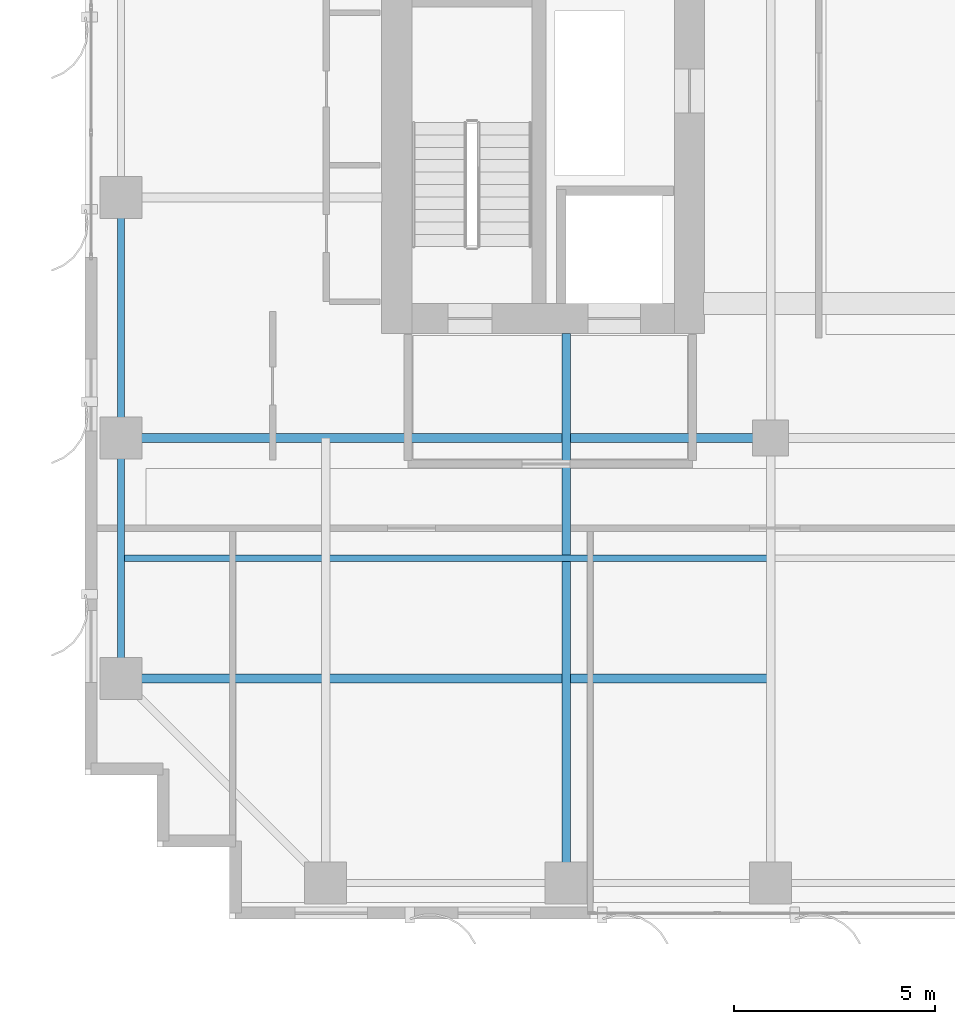
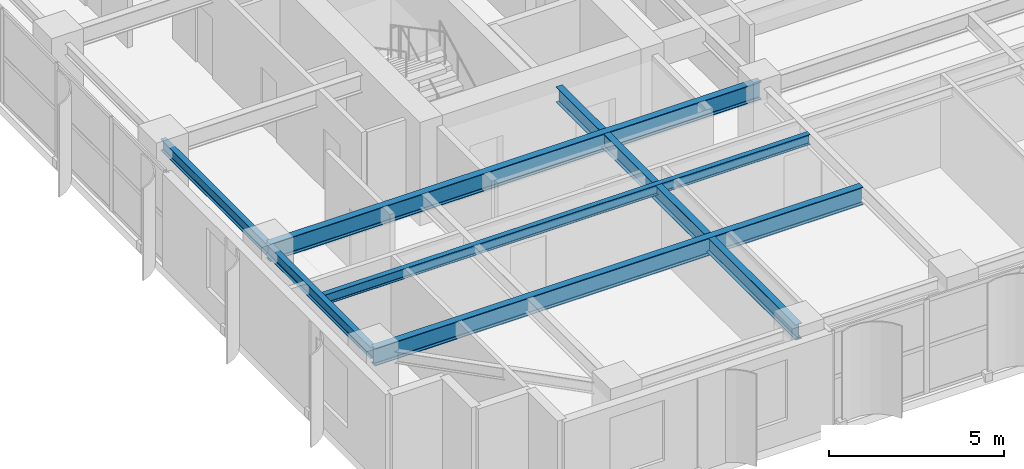
# One storey, part 3 of 28: 6 beams.
"""IFC4 building model written with IfcOpenShell, lengths in metres."""

from ifc_helpers import new_model, si_unit, direction, frame, origin, origin_2d, place, context, subcontext, project, spatial, i_section, extrude, source, transform, mapped, material, material_profile, profile_set, type_object, element, save


model = new_model("IFC4")

# Units and contexts
model_context = context("Model", 3, precision=1e-05, world=origin(), true_north=direction((0.0, 1.0)))
body_context = subcontext(model_context, "Body", "Model", "MODEL_VIEW")
ifc_project = project(units=[si_unit("LENGTHUNIT", "METRE"), si_unit("AREAUNIT", "SQUARE_METRE"), si_unit("VOLUMEUNIT", "CUBIC_METRE"), si_unit("PLANEANGLEUNIT", "RADIAN"), si_unit("MASSUNIT", "GRAM", prefix="KILO")], contexts=[model_context])

# Site, building, storey
site_placement = place(None, origin())
site = spatial("IfcSite", under=ifc_project, at=site_placement, CompositionType="ELEMENT")
building_placement = place(site_placement, origin())
building = spatial("IfcBuilding", under=site, at=building_placement, Name="Khoralis Quay Care Tower", CompositionType="ELEMENT")
storey_placement = place(building_placement, frame((0.0, 0.0, 144.89990234375)))
storey = spatial("IfcBuildingStorey", under=building, at=storey_placement, Name="L38", CompositionType="ELEMENT", Elevation=144.89990234375)

# Beams
ifc_material = material(Name="Steel S355", Category="steel")
ifc_material_profile_1 = material_profile(ifc_material, i_section(OverallWidth=0.179931640625, OverallDepth=0.39990234375, WebThickness=0.008544921875, FlangeThickness=0.013427734375, FilletRadius=0.02099609375, at=origin_2d()), Name="Steel S355")
ifc_profile_set_1 = profile_set([ifc_material_profile_1], Name="Steel S355")
beam_type_1 = type_object("IfcBeamType", Name="BM-IPE400", PredefinedType="SPANDREL", material=ifc_profile_set_1)
shared_shape_1 = source(origin(), body_context, "Body", "SweptSolid", [
    extrude(i_section(OverallWidth=0.179931640625, OverallDepth=0.39990234375, WebThickness=0.008544921875, FlangeThickness=0.013427734375, FilletRadius=0.02099609375, at=origin_2d()), origin(), (0.0, 0.0, 1.0), 6.0),
])
for number, where, z_axis, x_axis, name in (
    (1, (0.89990234375, 6.0, 3.080078125), (0.0, 1.0, 0.0), (-1.0, 0.0, 0.0), "BM-TSP-L38-11"),
    (2, (0.89990234375, 12.0, 3.080078125), (0.0, 1.0, 0.0), (-1.0, 0.0, 0.0), "BM-TSP-L38-12"),
):
    element("IfcBeam", number, at=place(storey_placement, frame(where, z_axis=z_axis, x_axis=x_axis)), inside=storey, type_object=beam_type_1, Name=name, PredefinedType="SPANDREL", context=body_context, shape_type="MappedRepresentation", body=[
        mapped(shared_shape_1, transform((0.0, 0.0, 0.0), scale=1.0)),
    ])
ifc_material_profile_2 = material_profile(ifc_material, i_section(OverallWidth=0.22998046875, OverallDepth=0.616943359375, WebThickness=0.01318359375, FlangeThickness=0.022216796875, FilletRadius=0.01806640625, at=origin_2d()), Name="Steel S355")
ifc_profile_set_2 = profile_set([ifc_material_profile_2], Name="Steel S355")
beam_type_2 = type_object("IfcBeamType", Name="BM-W610X140", PredefinedType="BEAM", material=ifc_profile_set_2)
shared_shape_2 = source(origin(), body_context, "Body", "SweptSolid", [
    extrude(i_section(OverallWidth=0.22998046875, OverallDepth=0.616943359375, WebThickness=0.01318359375, FlangeThickness=0.022216796875, FilletRadius=0.01806640625, at=origin_2d()), origin(), (0.0, 0.0, 1.0), 16.106201171875),
])
beam_1_placement = place(storey_placement, frame((0.89990234375, 6.0, 2.9716796875), z_axis=(1.0, 0.0, 0.0), x_axis=(0.0, 1.0, 0.0)))
element("IfcBeam", 3, at=beam_1_placement, inside=storey, type_object=beam_type_2, Name="BM-TGXW-L38-60", PredefinedType="BEAM", context=body_context, shape_type="MappedRepresentation", body=[
    mapped(shared_shape_2, transform((0.0, 0.0, 0.0), scale=1.0)),
])
shared_shape_3 = source(origin(), body_context, "Body", "SweptSolid", [
    extrude(i_section(OverallWidth=0.22998046875, OverallDepth=0.616943359375, WebThickness=0.01318359375, FlangeThickness=0.022216796875, FilletRadius=0.01806640625, at=origin_2d()), origin(), (0.0, 0.0, 1.0), 16.2001953125),
])
beam_2_placement = place(storey_placement, frame((0.89990234375, 12.0, 2.9716796875), z_axis=(1.0, 0.0, 0.0), x_axis=(0.0, 1.0, 0.0)))
element("IfcBeam", 4, at=beam_2_placement, inside=storey, type_object=beam_type_2, Name="BM-TGXW-L38-120", PredefinedType="BEAM", context=body_context, shape_type="MappedRepresentation", body=[
    mapped(shared_shape_3, transform((0.0, 0.0, 0.0), scale=1.0)),
])
ifc_material_profile_3 = material_profile(ifc_material, i_section(OverallWidth=0.2119140625, OverallDepth=0.5439453125, WebThickness=0.01318359375, FlangeThickness=0.021240234375, FilletRadius=0.01611328125, at=origin_2d()), Name="Steel S355")
ifc_profile_set_3 = profile_set([ifc_material_profile_3], Name="Steel S355")
beam_type_3 = type_object("IfcBeamType", Name="BM-W530X123", PredefinedType="BEAM", material=ifc_profile_set_3)
shared_shape_4 = source(origin(), body_context, "Body", "SweptSolid", [
    extrude(i_section(OverallWidth=0.2119140625, OverallDepth=0.5439453125, WebThickness=0.01318359375, FlangeThickness=0.021240234375, FilletRadius=0.01611328125, at=origin_2d()), origin(), (0.0, 0.0, 1.0), 13.7021484375),
])
beam_3_placement = place(storey_placement, frame((12.0, 0.89990234375, 3.008056640625), z_axis=(0.0, 1.0, 0.0), x_axis=(-1.0, 0.0, 0.0)))
element("IfcBeam", 5, at=beam_3_placement, inside=storey, type_object=beam_type_3, Name="BM-TGYS-L38-120", PredefinedType="BEAM", context=body_context, shape_type="MappedRepresentation", body=[
    mapped(shared_shape_4, transform((0.0, 0.0, 0.0), scale=1.0)),
])
ifc_material_profile_4 = material_profile(ifc_material, i_section(OverallWidth=0.1708984375, OverallDepth=0.35498046875, WebThickness=0.007080078125, FlangeThickness=0.01171875, FilletRadius=0.012939453125, at=origin_2d()), Name="Steel S355")
ifc_profile_set_4 = profile_set([ifc_material_profile_4], Name="Steel S355")
beam_type_4 = type_object("IfcBeamType", Name="BM-W360X51", PredefinedType="JOIST", material=ifc_profile_set_4)
shared_shape_5 = source(origin(), body_context, "Body", "SweptSolid", [
    extrude(i_section(OverallWidth=0.1708984375, OverallDepth=0.35498046875, WebThickness=0.007080078125, FlangeThickness=0.01171875, FilletRadius=0.012939453125, at=origin_2d()), origin(), (0.0, 0.0, 1.0), 16.030029296875),
])
beam_4_placement = place(storey_placement, frame((0.97607421875, 9.0, 3.1025390625), z_axis=(1.0, 0.0, 0.0), x_axis=(0.0, 1.0, 0.0)))
element("IfcBeam", 6, at=beam_4_placement, inside=storey, type_object=beam_type_4, Name="BM-TJS-L38-25", PredefinedType="JOIST", context=body_context, shape_type="MappedRepresentation", body=[
    mapped(shared_shape_5, transform((0.0, 0.0, 0.0), scale=1.0)),
])

save(model, "model.ifc")
